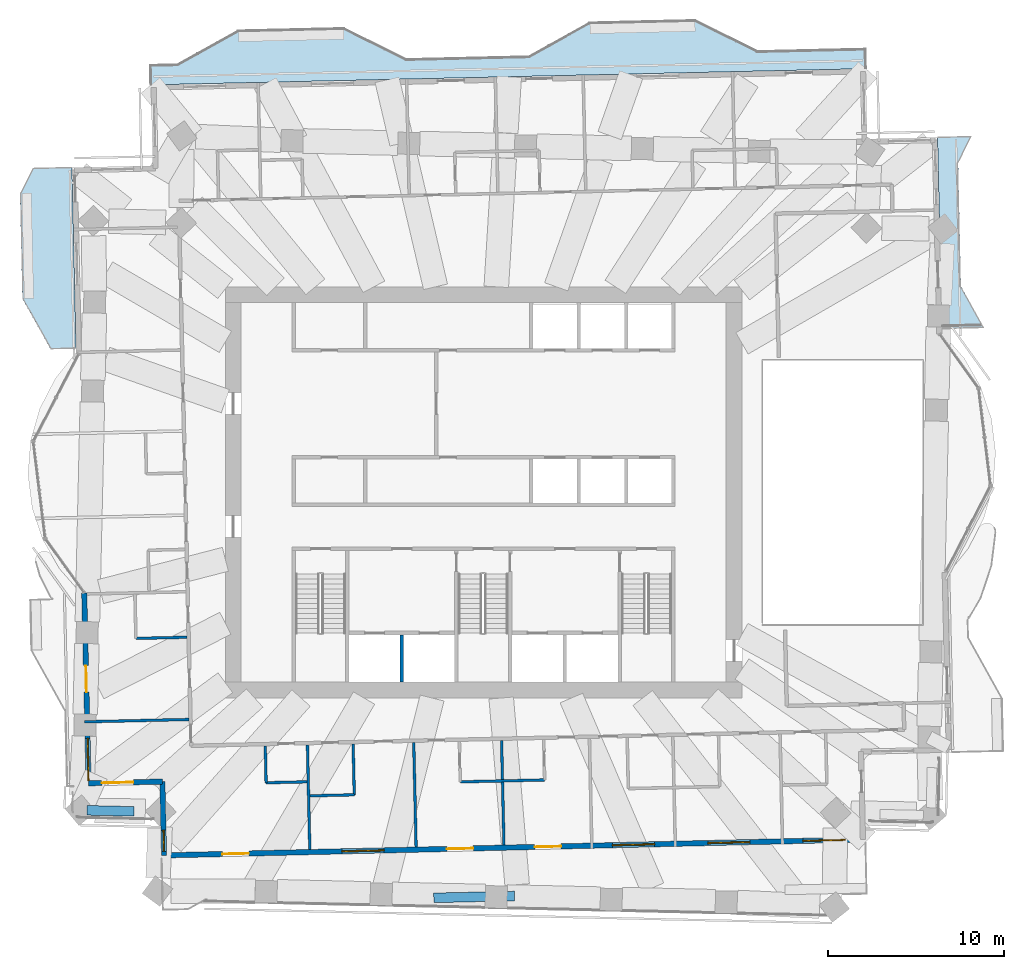
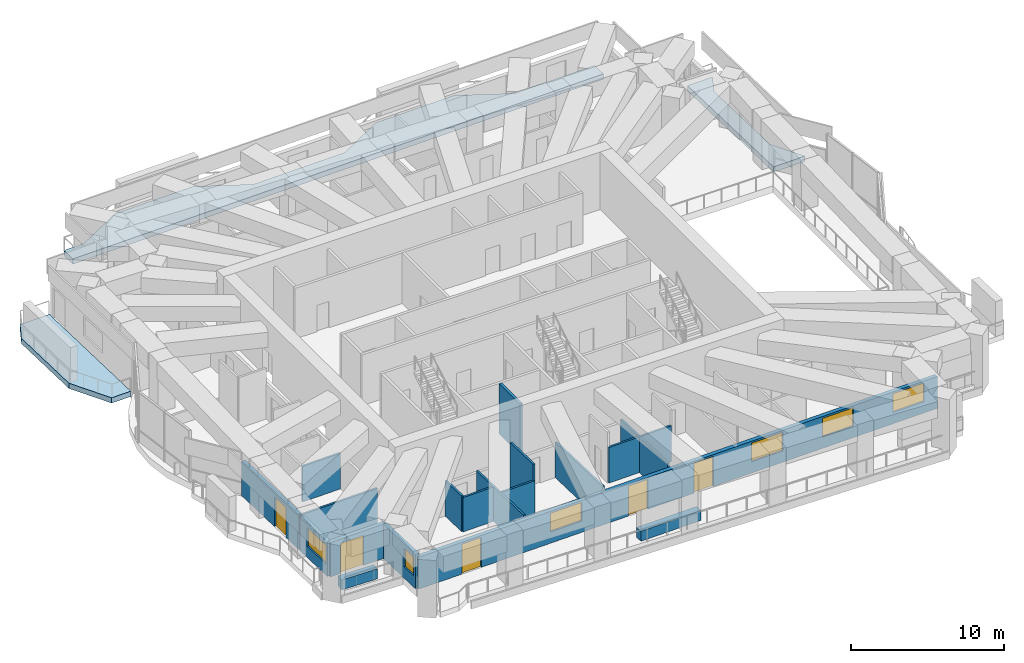
# One storey, part 8 of 17: 17 walls, 6 windows, 5 doors, 3 slabs, 11 openings.
"""IFC4 building model written with IfcOpenShell, lengths in metres."""

import ifcopenshell
import ifcopenshell.guid

model = None  # the IFC model being written
_history = None  # IfcOwnerHistory: only IFC2X3 demands one
_inside = {}  # id of a spatial element -> (the spatial element, [elements in it])
_under = {}  # id of a project, library or spatial element -> (it, [spatial elements below it])
_declared = {}  # id of a project -> (the project, [libraries it declares])
_typed = {}  # id of a type object -> (the type object, [elements of that type])
_made_of = {}  # id of a material, layer set ... -> (it, [elements and type objects made of it])


def new_model(schema):
    """Start an empty IFC model of exactly this schema.

    Asked for "IFC4X3", IfcOpenShell would pick the latest addendum, in which some entities
    have other attributes; the version numbers below select the first issue.
    IFC2X3 requires an IfcOwnerHistory on every rooted entity: one is made here for all.
    """
    global model, _history
    if schema == "IFC4X3":
        model = ifcopenshell.file(schema_version=(4, 3, 0, 0))
    else:
        model = ifcopenshell.file(schema=schema)
    _inside.clear()
    _under.clear()
    _declared.clear()
    _typed.clear()
    _made_of.clear()
    _history = None
    if model.schema == "IFC2X3":
        org = make("IfcOrganization", Name="unknown")
        user = make(
            "IfcPersonAndOrganization",
            ThePerson=make("IfcPerson", FamilyName="unknown"),
            TheOrganization=org,
        )
        app = make(
            "IfcApplication",
            ApplicationDeveloper=org,
            Version="unknown",
            ApplicationFullName="unknown",
            ApplicationIdentifier="unknown",
        )
        _history = make(
            "IfcOwnerHistory",
            OwningUser=user,
            OwningApplication=app,
            ChangeAction="ADDED",
            CreationDate=0,
        )
    return model


def make(cls, **values):
    """One entity of the class cls with the attributes given. An attribute that is None is left unset."""
    return model.create_entity(
        cls, **{name: value for name, value in values.items() if value is not None}
    )


def rooted(cls, **values):
    """An entity with a GlobalId (a new one), such as an element, a storey or a relation."""
    return make(cls, GlobalId=ifcopenshell.guid.new(), OwnerHistory=_history, **values)


def si_unit(unit_type, name, prefix=None):
    """IfcSIUnit, for example si_unit("LENGTHUNIT", "METRE", prefix="MILLI")."""
    return make("IfcSIUnit", UnitType=unit_type, Prefix=prefix, Name=name)


def assignment(units):
    """IfcUnitAssignment: the units of a project."""
    return None if units is None else make("IfcUnitAssignment", Units=units)


def point(xyz):
    """IfcCartesianPoint."""
    return None if xyz is None else make("IfcCartesianPoint", Coordinates=xyz)


def direction(xyz):
    """IfcDirection."""
    return None if xyz is None else make("IfcDirection", DirectionRatios=xyz)


def frame(location, z_axis=None, x_axis=None):
    """IfcAxis2Placement3D, a coordinate frame: its origin and axes. An axis left out is left unset."""
    return make(
        "IfcAxis2Placement3D",
        Location=point(location),
        Axis=direction(z_axis),
        RefDirection=direction(x_axis),
    )


def frame_2d(location, x_axis=None):
    """IfcAxis2Placement2D, a coordinate frame in the plane: its origin and x axis."""
    return make(
        "IfcAxis2Placement2D", Location=point(location), RefDirection=direction(x_axis)
    )


def origin():
    """The frame at (0, 0, 0) with its axes left unset."""
    return frame((0.0, 0.0, 0.0))


def place(relative_to, where):
    """IfcLocalPlacement: puts the frame where relative to a parent placement (None: the world)."""
    return make(
        "IfcLocalPlacement", PlacementRelTo=relative_to, RelativePlacement=where
    )


def context(
    kind, dimensions, precision=None, world=None, true_north=None, identifier=None
):
    """IfcGeometricRepresentationContext, for example the 3D "Model" context."""
    return make(
        "IfcGeometricRepresentationContext",
        ContextIdentifier=identifier,
        ContextType=kind,
        CoordinateSpaceDimension=dimensions,
        Precision=precision,
        WorldCoordinateSystem=world,
        TrueNorth=true_north,
    )


def subcontext(parent, identifier, kind, view, scale=None):
    """IfcGeometricRepresentationSubContext, for example "Body" below "Model"."""
    return make(
        "IfcGeometricRepresentationSubContext",
        ContextIdentifier=identifier,
        ContextType=kind,
        ParentContext=parent,
        TargetScale=scale,
        TargetView=view,
    )


def project(units=None, contexts=None):
    """IfcProject with its units and contexts."""
    return rooted(
        "IfcProject",
        Name="project",
        RepresentationContexts=contexts,
        UnitsInContext=assignment(units),
    )


def spatial(cls, under=None, at=None, **own):
    """A site, building, storey or space (cls), placed at a placement, below another one or the project."""
    s = rooted(cls, ObjectPlacement=at, **own)
    if under is not None:
        _under.setdefault(under.id(), (under, []))[1].append(s)
    return s


def polyline(points):
    """IfcPolyline through the points."""
    return make("IfcPolyline", Points=[point(p) for p in points])


def profile(cls, at=None, kind="AREA", **sizes):
    """A parametric profile (cls). Its sizes go by their IFC names, for example OverallWidth=200.0."""
    return make(cls, ProfileType=kind, Position=at, **sizes)


def rectangle(**sizes):
    """IfcRectangleProfileDef."""
    return profile("IfcRectangleProfileDef", **sizes)


def outline(outer, holes=None, kind="AREA"):
    """IfcArbitraryClosedProfileDef: a profile drawn as a closed curve; with holes, ...WithVoids."""
    if holes is None:
        return make("IfcArbitraryClosedProfileDef", ProfileType=kind, OuterCurve=outer)
    return make(
        "IfcArbitraryProfileDefWithVoids",
        ProfileType=kind,
        OuterCurve=outer,
        InnerCurves=holes,
    )


def extrude(swept, where, along, depth):
    """IfcExtrudedAreaSolid: the profile swept, set in the frame where, extruded along a direction by depth."""
    return make(
        "IfcExtrudedAreaSolid",
        SweptArea=swept,
        Position=where,
        ExtrudedDirection=direction(along),
        Depth=depth,
    )


def shape(context_of_items, identifier, shape_type, items):
    """IfcShapeRepresentation: the items that make up one representation, for example the "Body"."""
    return make(
        "IfcShapeRepresentation",
        ContextOfItems=context_of_items,
        RepresentationIdentifier=identifier,
        RepresentationType=shape_type,
        Items=items,
    )


def material(Name=None, Category=None):
    """IfcMaterial."""
    return make("IfcMaterial", Name=Name, Category=Category)


def layer(
    of_material, thickness, ventilated=None, Name=None, Category=None, Priority=None
):
    """IfcMaterialLayer: one layer of a wall or slab, of a material (None: an air gap)."""
    return make(
        "IfcMaterialLayer",
        Material=of_material,
        LayerThickness=thickness,
        IsVentilated=ventilated,
        Name=Name,
        Category=Category,
        Priority=Priority,
    )


def layer_set(layers, Name=None):
    """IfcMaterialLayerSet."""
    return make("IfcMaterialLayerSet", MaterialLayers=layers, LayerSetName=Name)


def made_of(thing, what):
    """Note that an element or type object is made of a material, layer set ...; save() writes the relation."""
    if what is not None:
        _made_of.setdefault(what.id(), (what, []))[1].append(thing)
    return thing


def type_object(cls, material=None, **own):
    """A type object (cls), such as IfcWallType, which elements share."""
    return made_of(rooted(cls, **own), material)


def element(
    cls,
    number,
    at=None,
    inside=None,
    cuts=None,
    type_object=None,
    material=None,
    context=None,
    identifier="Body",
    shape_type=None,
    held_by="IfcProductDefinitionShape",
    body=None,
    shapes=None,
    **own,
):
    """One element of the class cls, such as IfcWall. Its Tag is "e" and its number.

    at: its placement. inside: the storey or other place that contains it. cuts: it is an
    opening in that element (IfcRelVoidsElement). A single representation is given by context,
    identifier, shape_type and body (its items); several are given by shapes. held_by: the class
    of the entity that holds the representations. save() writes the other relations.
    """
    e = rooted(cls, Tag="e%d" % number, ObjectPlacement=at, **own)
    if body is not None:
        shapes = [shape(context, identifier, shape_type, body)]
    if shapes is not None:
        e.Representation = make(held_by, Representations=shapes)
    if inside is not None:
        _inside.setdefault(inside.id(), (inside, []))[1].append(e)
    if cuts is not None:
        rooted(
            "IfcRelVoidsElement", RelatingBuildingElement=cuts, RelatedOpeningElement=e
        )
    if type_object is not None:
        _typed.setdefault(type_object.id(), (type_object, []))[1].append(e)
    return made_of(e, material)


def fill(opening, filler):
    """IfcRelFillsElement: the door or window that sits in an opening."""
    return rooted(
        "IfcRelFillsElement",
        RelatingOpeningElement=opening,
        RelatedBuildingElement=filler,
    )


def aggregate(whole, parts):
    """IfcRelAggregates: a whole, such as a stair, and the parts it consists of."""
    return rooted("IfcRelAggregates", RelatingObject=whole, RelatedObjects=parts)


def save(model, path):
    """Write the relations noted so far, then the file.

    IfcRelAggregates (storeys below a building ...), IfcRelContainedInSpatialStructure (elements
    in a storey), IfcRelDefinesByType, IfcRelAssociatesMaterial and IfcRelDeclares: one each for
    every whole, place, type object, material and project.
    """
    for whole, parts in _under.values():
        aggregate(whole, parts)
    for where, things in _inside.values():
        rooted(
            "IfcRelContainedInSpatialStructure",
            RelatedElements=things,
            RelatingStructure=where,
        )
    for kind, things in _typed.values():
        rooted("IfcRelDefinesByType", RelatedObjects=things, RelatingType=kind)
    for what, things in _made_of.values():
        rooted("IfcRelAssociatesMaterial", RelatedObjects=things, RelatingMaterial=what)
    for by, libraries in _declared.values():
        rooted("IfcRelDeclares", RelatingContext=by, RelatedDefinitions=libraries)
    model.write(path)


model = new_model("IFC4")

# Units and contexts
model_context = context("Model", 3, precision=1e-05, world=origin(), true_north=direction((0.0, 1.0)))
body_context = subcontext(model_context, "Body", "Model", "MODEL_VIEW")
ifc_project = project(units=[si_unit("LENGTHUNIT", "METRE"), si_unit("AREAUNIT", "SQUARE_METRE"), si_unit("VOLUMEUNIT", "CUBIC_METRE"), si_unit("PLANEANGLEUNIT", "RADIAN"), si_unit("MASSUNIT", "GRAM", prefix="KILO")], contexts=[model_context])

# Site, building, storey
site_placement = place(None, origin())
site = spatial("IfcSite", under=ifc_project, at=site_placement, CompositionType="ELEMENT")
building_placement = place(site_placement, origin())
building = spatial("IfcBuilding", under=site, at=building_placement, Name="Mangrove Gate Tower", CompositionType="ELEMENT")
storey_placement = place(building_placement, frame((0.0, 0.0, 170.699951171875)))
storey = spatial("IfcBuildingStorey", under=building, at=storey_placement, Name="L43", CompositionType="ELEMENT", Elevation=170.699951171875)

# Slabs
ifc_material_1 = material(Name="Porcelain tile")
ifc_layer_1 = layer(ifc_material_1, 0.02001953125, Name="Tile finish")
ifc_material_2 = material(Name="Cement sand screed")
ifc_layer_2 = layer(ifc_material_2, 0.0400390625, Name="Screed laid to falls")
ifc_material_3 = material(Name="Bituminous waterproofing membrane")
ifc_layer_3 = layer(ifc_material_3, 0.00390625, Name="Waterproofing")
ifc_material_4 = material(Name="Concrete C40/50", Category="concrete")
ifc_layer_4 = layer(ifc_material_4, 0.340087890625, Name="Balcony structural slab")
ifc_material_5 = material(Name="Limestone", Category="masonry")
ifc_layer_5 = layer(ifc_material_5, 0.01611328125, Name="Soffit lining")
ifc_layer_set_1 = layer_set([ifc_layer_1, ifc_layer_2, ifc_layer_3, ifc_layer_4, ifc_layer_5], Name="Balcony slab 420 C40/50")
slab_type = type_object("IfcSlabType", Name="Balcony slab 420 C40/50", PredefinedType="FLOOR", material=ifc_layer_set_1)
slab_1_placement = place(storey_placement, frame((0.0, 0.0, -0.419921875)))
element("IfcSlab", 1, at=slab_1_placement, inside=storey, type_object=slab_type, Name="BALCONY L43 E1", PredefinedType="FLOOR", context=body_context, shape_type="SweptSolid", body=[
    extrude(outline(polyline([(28.467041015625, 9.386962890625), (27.157958984375, 11.73193359375), (26.9990234375, 18.73095703125), (27.758056640625, 20.248046875), (25.824951171875, 20.2041015625), (25.85888671875, 18.705078125), (26.01806640625, 11.70703125), (26.072021484375, 9.3330078125), (28.467041015625, 9.386962890625)])), origin(), (0.0, 0.0, 1.0), 0.419921875),
])
slab_2_placement = place(storey_placement, frame((0.0, 0.0, -0.419921875)))
element("IfcSlab", 2, at=slab_2_placement, inside=storey, type_object=slab_type, Name="BALCONY L43 N0", PredefinedType="FLOOR", context=body_context, shape_type="SweptSolid", body=[
    extrude(outline(polyline([(21.7099609375, 25.251953125), (15.571044921875, 25.113037109375), (12.030029296875, 26.883056640625), (6.031982421875, 26.7470703125), (2.574951171875, 24.818115234375), (-4.424072265625, 24.659912109375), (-7.965087890625, 26.428955078125), (-13.962890625, 26.29296875), (-17.419921875, 24.364013671875), (-18.9599609375, 24.3291015625), (-18.93408203125, 23.18994140625), (21.736083984375, 24.113037109375), (21.7099609375, 25.251953125)])), origin(), (0.0, 0.0, 1.0), 0.419921875),
])
slab_3_placement = place(storey_placement, frame((0.0, 0.0, -0.419921875)))
element("IfcSlab", 3, at=slab_3_placement, inside=storey, type_object=slab_type, Name="BALCONY L43 W0", PredefinedType="FLOOR", context=body_context, shape_type="SweptSolid", body=[
    extrude(outline(polyline([(-25.677978515625, 18.43505859375), (-26.385986328125, 17.01904296875), (-26.25, 11.02099609375), (-24.6650390625, 8.180908203125), (-23.195068359375, 8.214111328125), (-23.260986328125, 11.087890625), (-23.39697265625, 17.0869140625), (-23.427978515625, 18.487060546875), (-25.677978515625, 18.43505859375)])), origin(), (0.0, 0.0, 1.0), 0.419921875),
])

# Wall
ifc_material_6 = material(Name="Concrete C60/75", Category="concrete")
ifc_layer_6 = layer(ifc_material_6, 0.199951171875)
ifc_layer_set_2 = layer_set([ifc_layer_6], Name="Core shaft wall 200 C60/75")
wall_type_1 = type_object("IfcWallType", Name="Core shaft wall 200 C60/75", PredefinedType="SHEAR", material=ifc_layer_set_2)
wall_1_placement = place(storey_placement, frame((-4.64990234375, -10.800048828125, 0.0), z_axis=(0.0, 0.0, 1.0), x_axis=(0.0, 1.0, 0.0)))
element("IfcWall", 4, at=wall_1_placement, inside=storey, type_object=wall_type_1, Name="WALL-L43-CORE-16", PredefinedType="SHEAR", context=body_context, shape_type="SweptSolid", body=[
    extrude(rectangle(XDim=2.699951171875, YDim=0.199951171875, at=frame_2d((1.35009765625, 0.0))), origin(), (0.0, 0.0, 1.0), 4.050048828125),
])

# Wall, openings, door, window
ifc_layer_7 = layer(ifc_material_5, 0.0400390625, Name="Limestone cladding")
ifc_material_7 = material(Name="Ventilated air gap")
ifc_layer_8 = layer(ifc_material_7, 0.0400390625, Name="Ventilated cavity")
ifc_material_8 = material(Name="Mineral wool insulation")
ifc_layer_9 = layer(ifc_material_8, 0.06005859375, Name="Insulation")
ifc_material_9 = material(Name="Breather membrane")
ifc_layer_10 = layer(ifc_material_9, 0.001953125, Name="Breather membrane")
ifc_material_10 = material(Name="Concrete C20/25 blockwork", Category="masonry")
ifc_layer_11 = layer(ifc_material_10, 0.14990234375, Name="Blockwork backing wall")
ifc_material_11 = material(Name="Gypsum plaster")
ifc_layer_12 = layer(ifc_material_11, 0.008056640625, Name="Internal plaster")
ifc_layer_set_3 = layer_set([ifc_layer_7, ifc_layer_8, ifc_layer_9, ifc_layer_10, ifc_layer_11, ifc_layer_12], Name="External wall 300 limestone cladding")
wall_type_2 = type_object("IfcWallType", Name="External wall 300 limestone cladding", PredefinedType="SOLIDWALL", material=ifc_layer_set_3)
wall_2_placement = place(storey_placement, frame((-22.72900390625, -5.72509765625, 0.0), z_axis=(0.0, 0.0, 1.0), x_axis=(0.022726014582, -0.999741730779, 0.0)))
wall_2 = element("IfcWall", 5, at=wall_2_placement, inside=storey, type_object=wall_type_2, Name="WALL-L43-W10", PredefinedType="SOLIDWALL", context=body_context, shape_type="SweptSolid", body=[
    extrude(rectangle(XDim=10.82861328125, YDim=0.300048828125, at=frame_2d((5.414306640625, 0.0))), origin(), (0.0, 0.0, 1.0), 2.75),
])
opening_1_placement = place(wall_2_placement, frame((4.135986328125, 0.0, 0.0)))
opening_1 = element("IfcOpeningElement", 6, at=opening_1_placement, cuts=wall_2, Name="Opening BD1", PredefinedType="OPENING", context=body_context, shape_type="SweptSolid", body=[
    extrude(rectangle(XDim=1.5, YDim=2.39990234375, at=frame_2d((0.75, 1.199951171875))), frame((0.0, 0.159912109375, 0.0), z_axis=(0.0, -1.0, 0.0), x_axis=(1.0, 0.0, 0.0)), (0.0, 0.0, 1.0), 0.320068359375),
])
opening_2_placement = place(wall_2_placement, frame((8.27294921875, 0.0, 0.89990234375)))
opening_2 = element("IfcOpeningElement", 7, at=opening_2_placement, cuts=wall_2, Name="Opening W2", PredefinedType="OPENING", context=body_context, shape_type="SweptSolid", body=[
    extrude(rectangle(XDim=2.39990234375, YDim=1.5, at=frame_2d((1.199951171875, 0.75))), frame((0.0, 0.159912109375, 0.0), z_axis=(0.0, -1.0, 0.0), x_axis=(1.0, 0.0, 0.0)), (0.0, 0.0, 1.0), 0.320068359375),
])
ifc_material_12 = material(Name="Aluminium frame with laminated clear glass", Category="aluminium")
door_type_1 = type_object("IfcDoorType", Name="Balcony sliding door 1500x2400", OperationType="SLIDING_TO_LEFT", PredefinedType="DOOR", material=ifc_material_12)
door_1_placement = place(opening_1_placement, origin())
door_1 = element("IfcDoor", 8, at=door_1_placement, inside=storey, type_object=door_type_1, Name="DOOR-L43-W10-1", OperationType="SLIDING_TO_LEFT", OverallHeight=2.39990234375, OverallWidth=1.5, PredefinedType="DOOR", context=body_context, shape_type="SweptSolid", body=[
    extrude(rectangle(XDim=1.5, YDim=2.39990234375, at=frame_2d((0.75, 1.199951171875))), frame((0.0, 0.02490234375, 0.0), z_axis=(0.0, -1.0, 0.0), x_axis=(1.0, 0.0, 0.0)), (0.0, 0.0, 1.0), 0.050048828125),
])
fill(opening_1, door_1)
ifc_material_13 = material(Name="Aluminium frame with double-glazed low-e glass", Category="aluminium")
window_type_1 = type_object("IfcWindowType", Name="Corner room window 2400x1500", PartitioningType="DOUBLE_PANEL_VERTICAL", PredefinedType="WINDOW", material=ifc_material_13)
window_1_placement = place(opening_2_placement, origin())
window_1 = element("IfcWindow", 9, at=window_1_placement, inside=storey, type_object=window_type_1, Name="WIN-L43-W10-2", OverallHeight=1.5, OverallWidth=2.39990234375, PartitioningType="DOUBLE_PANEL_VERTICAL", PredefinedType="WINDOW", context=body_context, shape_type="SweptSolid", body=[
    extrude(rectangle(XDim=2.39990234375, YDim=1.5, at=frame_2d((1.199951171875, 0.75))), frame((0.0, 0.030029296875, 0.0), z_axis=(0.0, -1.0, 0.0), x_axis=(1.0, 0.0, 0.0)), (0.0, 0.0, 1.0), 0.06005859375),
])
fill(opening_2, window_1)

# Wall, opening, door
wall_3_placement = place(storey_placement, frame((-22.48291015625, -16.551025390625, 0.0), z_axis=(0.0, 0.0, 1.0), x_axis=(0.999744320311, 0.022611811187, 0.0)))
wall_3 = element("IfcWall", 10, at=wall_3_placement, inside=storey, type_object=wall_type_2, Name="WALL-L43-S11", PredefinedType="SOLIDWALL", context=body_context, shape_type="SweptSolid", body=[
    extrude(rectangle(XDim=4.199951171875, YDim=0.300048828125, at=frame_2d((2.10009765625, 0.0))), origin(), (0.0, 0.0, 1.0), 2.75),
])
opening_3_placement = place(wall_3_placement, frame((0.75, 0.0, 0.0)))
opening_3 = element("IfcOpeningElement", 11, at=opening_3_placement, cuts=wall_3, Name="Opening TD1", PredefinedType="OPENING", context=body_context, shape_type="SweptSolid", body=[
    extrude(rectangle(XDim=1.800048828125, YDim=2.39990234375, at=frame_2d((0.89990234375, 1.199951171875))), frame((0.0, 0.159912109375, 0.0), z_axis=(0.0, -1.0, 0.0), x_axis=(1.0, 0.0, 0.0)), (0.0, 0.0, 1.0), 0.320068359375),
])
ifc_material_14 = material(Name="Aluminium frame with laminated clear glass", Category="aluminium")
door_type_2 = type_object("IfcDoorType", Name="Terrace door 1800x2400", OperationType="DOUBLE_DOOR_SINGLE_SWING", PredefinedType="DOOR", material=ifc_material_14)
door_2_placement = place(opening_3_placement, origin())
door_2 = element("IfcDoor", 12, at=door_2_placement, inside=storey, type_object=door_type_2, Name="DOOR-L43-S11-1", OperationType="DOUBLE_DOOR_SINGLE_SWING", OverallHeight=2.39990234375, OverallWidth=1.800048828125, PredefinedType="DOOR", context=body_context, shape_type="SweptSolid", body=[
    extrude(rectangle(XDim=1.800048828125, YDim=2.39990234375, at=frame_2d((0.89990234375, 1.199951171875))), frame((0.0, 0.02490234375, 0.0), z_axis=(0.0, -1.0, 0.0), x_axis=(1.0, 0.0, 0.0)), (0.0, 0.0, 1.0), 0.050048828125),
])
fill(opening_3, door_2)

# Wall, opening, window
wall_4_placement = place(storey_placement, frame((-18.283935546875, -16.4560546875, 0.0), z_axis=(0.0, 0.0, 1.0), x_axis=(0.022611811187, -0.999744320311, 0.0)))
wall_4 = element("IfcWall", 13, at=wall_4_placement, inside=storey, type_object=wall_type_2, Name="WALL-L43-W12", PredefinedType="SOLIDWALL", context=body_context, shape_type="SweptSolid", body=[
    extrude(rectangle(XDim=4.199951171875, YDim=0.300048828125, at=frame_2d((2.10009765625, 0.0))), origin(), (0.0, 0.0, 1.0), 2.75),
])
opening_4_placement = place(wall_4_placement, frame((2.76708984375, 0.0, 0.89990234375)))
opening_4 = element("IfcOpeningElement", 14, at=opening_4_placement, cuts=wall_4, Name="Opening W1", PredefinedType="OPENING", context=body_context, shape_type="SweptSolid", body=[
    extrude(rectangle(XDim=1.199951171875, YDim=1.5, at=frame_2d((0.60009765625, 0.75))), frame((0.0, 0.159912109375, 0.0), z_axis=(0.0, -1.0, 0.0), x_axis=(1.0, 0.0, 0.0)), (0.0, 0.0, 1.0), 0.320068359375),
])
ifc_material_15 = material(Name="Aluminium frame with double-glazed low-e glass", Category="aluminium")
window_type_2 = type_object("IfcWindowType", Name="Side lite 1200x1500", PartitioningType="SINGLE_PANEL", PredefinedType="WINDOW", material=ifc_material_15)
window_2_placement = place(opening_4_placement, origin())
window_2 = element("IfcWindow", 15, at=window_2_placement, inside=storey, type_object=window_type_2, Name="WIN-L43-W12-1", OverallHeight=1.5, OverallWidth=1.199951171875, PartitioningType="SINGLE_PANEL", PredefinedType="WINDOW", context=body_context, shape_type="SweptSolid", body=[
    extrude(rectangle(XDim=1.199951171875, YDim=1.5, at=frame_2d((0.60009765625, 0.75))), frame((0.0, 0.030029296875, 0.0), z_axis=(0.0, -1.0, 0.0), x_axis=(1.0, 0.0, 0.0)), (0.0, 0.0, 1.0), 0.06005859375),
])
fill(opening_4, window_2)

# Wall, openings, doors, windows
wall_5_placement = place(storey_placement, frame((-18.18896484375, -20.655029296875, 0.0), z_axis=(0.0, 0.0, 1.0), x_axis=(0.999742285265, 0.022701609063, 0.0)))
wall_5 = element("IfcWall", 16, at=wall_5_placement, inside=storey, type_object=wall_type_2, Name="WALL-L43-S13", PredefinedType="SOLIDWALL", context=body_context, shape_type="SweptSolid", body=[
    extrude(rectangle(XDim=39.7802734375, YDim=0.300048828125, at=frame_2d((19.89013671875, 0.0))), origin(), (0.0, 0.0, 1.0), 2.550048828125),
])
opening_5_placement = place(wall_5_placement, frame((3.324951171875, 0.0, 0.0)))
opening_5 = element("IfcOpeningElement", 17, at=opening_5_placement, cuts=wall_5, Name="Opening BD1", PredefinedType="OPENING", context=body_context, shape_type="SweptSolid", body=[
    extrude(rectangle(XDim=1.5, YDim=2.39990234375, at=frame_2d((0.75, 1.199951171875))), frame((0.0, 0.159912109375, 0.0), z_axis=(0.0, -1.0, 0.0), x_axis=(1.0, 0.0, 0.0)), (0.0, 0.0, 1.0), 0.320068359375),
])
opening_6_placement = place(wall_5_placement, frame((10.125, 0.0, 0.89990234375)))
opening_6 = element("IfcOpeningElement", 18, at=opening_6_placement, cuts=wall_5, Name="Opening W2", PredefinedType="OPENING", context=body_context, shape_type="SweptSolid", body=[
    extrude(rectangle(XDim=2.39990234375, YDim=1.5, at=frame_2d((1.199951171875, 0.75))), frame((0.0, 0.159912109375, 0.0), z_axis=(0.0, -1.0, 0.0), x_axis=(1.0, 0.0, 0.0)), (0.0, 0.0, 1.0), 0.320068359375),
])
opening_7_placement = place(wall_5_placement, frame((16.10009765625, 0.0, 0.0)))
opening_7 = element("IfcOpeningElement", 19, at=opening_7_placement, cuts=wall_5, Name="Opening BD1", PredefinedType="OPENING", context=body_context, shape_type="SweptSolid", body=[
    extrude(rectangle(XDim=1.5, YDim=2.39990234375, at=frame_2d((0.75, 1.199951171875))), frame((0.0, 0.159912109375, 0.0), z_axis=(0.0, -1.0, 0.0), x_axis=(1.0, 0.0, 0.0)), (0.0, 0.0, 1.0), 0.320068359375),
])
opening_8_placement = place(wall_5_placement, frame((21.10009765625, 0.0, 0.0)))
opening_8 = element("IfcOpeningElement", 20, at=opening_8_placement, cuts=wall_5, Name="Opening BD1", PredefinedType="OPENING", context=body_context, shape_type="SweptSolid", body=[
    extrude(rectangle(XDim=1.5, YDim=2.39990234375, at=frame_2d((0.75, 1.199951171875))), frame((0.0, 0.159912109375, 0.0), z_axis=(0.0, -1.0, 0.0), x_axis=(1.0, 0.0, 0.0)), (0.0, 0.0, 1.0), 0.320068359375),
])
opening_9_placement = place(wall_5_placement, frame((25.52490234375, 0.0, 0.89990234375)))
opening_9 = element("IfcOpeningElement", 21, at=opening_9_placement, cuts=wall_5, Name="Opening W2", PredefinedType="OPENING", context=body_context, shape_type="SweptSolid", body=[
    extrude(rectangle(XDim=2.39990234375, YDim=1.5, at=frame_2d((1.199951171875, 0.75))), frame((0.0, 0.159912109375, 0.0), z_axis=(0.0, -1.0, 0.0), x_axis=(1.0, 0.0, 0.0)), (0.0, 0.0, 1.0), 0.320068359375),
])
opening_10_placement = place(wall_5_placement, frame((30.949951171875, 0.0, 0.89990234375)))
opening_10 = element("IfcOpeningElement", 22, at=opening_10_placement, cuts=wall_5, Name="Opening W2", PredefinedType="OPENING", context=body_context, shape_type="SweptSolid", body=[
    extrude(rectangle(XDim=2.39990234375, YDim=1.5, at=frame_2d((1.199951171875, 0.75))), frame((0.0, 0.159912109375, 0.0), z_axis=(0.0, -1.0, 0.0), x_axis=(1.0, 0.0, 0.0)), (0.0, 0.0, 1.0), 0.320068359375),
])
opening_11_placement = place(wall_5_placement, frame((36.364990234375, 0.0, 0.89990234375)))
opening_11 = element("IfcOpeningElement", 23, at=opening_11_placement, cuts=wall_5, Name="Opening W2", PredefinedType="OPENING", context=body_context, shape_type="SweptSolid", body=[
    extrude(rectangle(XDim=2.39990234375, YDim=1.5, at=frame_2d((1.199951171875, 0.75))), frame((0.0, 0.159912109375, 0.0), z_axis=(0.0, -1.0, 0.0), x_axis=(1.0, 0.0, 0.0)), (0.0, 0.0, 1.0), 0.320068359375),
])
door_3_placement = place(opening_5_placement, origin())
door_3 = element("IfcDoor", 24, at=door_3_placement, inside=storey, type_object=door_type_1, Name="DOOR-L43-S13-1", OperationType="SLIDING_TO_LEFT", OverallHeight=2.39990234375, OverallWidth=1.5, PredefinedType="DOOR", context=body_context, shape_type="SweptSolid", body=[
    extrude(rectangle(XDim=1.5, YDim=2.39990234375, at=frame_2d((0.75, 1.199951171875))), frame((0.0, 0.02490234375, 0.0), z_axis=(0.0, -1.0, 0.0), x_axis=(1.0, 0.0, 0.0)), (0.0, 0.0, 1.0), 0.050048828125),
])
fill(opening_5, door_3)
door_4_placement = place(opening_7_placement, origin())
door_4 = element("IfcDoor", 25, at=door_4_placement, inside=storey, type_object=door_type_1, Name="DOOR-L43-S13-3", OperationType="SLIDING_TO_LEFT", OverallHeight=2.39990234375, OverallWidth=1.5, PredefinedType="DOOR", context=body_context, shape_type="SweptSolid", body=[
    extrude(rectangle(XDim=1.5, YDim=2.39990234375, at=frame_2d((0.75, 1.199951171875))), frame((0.0, 0.02490234375, 0.0), z_axis=(0.0, -1.0, 0.0), x_axis=(1.0, 0.0, 0.0)), (0.0, 0.0, 1.0), 0.050048828125),
])
fill(opening_7, door_4)
door_5_placement = place(opening_8_placement, origin())
door_5 = element("IfcDoor", 26, at=door_5_placement, inside=storey, type_object=door_type_1, Name="DOOR-L43-S13-4", OperationType="SLIDING_TO_LEFT", OverallHeight=2.39990234375, OverallWidth=1.5, PredefinedType="DOOR", context=body_context, shape_type="SweptSolid", body=[
    extrude(rectangle(XDim=1.5, YDim=2.39990234375, at=frame_2d((0.75, 1.199951171875))), frame((0.0, 0.02490234375, 0.0), z_axis=(0.0, -1.0, 0.0), x_axis=(1.0, 0.0, 0.0)), (0.0, 0.0, 1.0), 0.050048828125),
])
fill(opening_8, door_5)
window_3_placement = place(opening_6_placement, origin())
window_3 = element("IfcWindow", 27, at=window_3_placement, inside=storey, type_object=window_type_1, Name="WIN-L43-S13-2", OverallHeight=1.5, OverallWidth=2.39990234375, PartitioningType="DOUBLE_PANEL_VERTICAL", PredefinedType="WINDOW", context=body_context, shape_type="SweptSolid", body=[
    extrude(rectangle(XDim=2.39990234375, YDim=1.5, at=frame_2d((1.199951171875, 0.75))), frame((0.0, 0.030029296875, 0.0), z_axis=(0.0, -1.0, 0.0), x_axis=(1.0, 0.0, 0.0)), (0.0, 0.0, 1.0), 0.06005859375),
])
fill(opening_6, window_3)
window_4_placement = place(opening_9_placement, origin())
window_4 = element("IfcWindow", 28, at=window_4_placement, inside=storey, type_object=window_type_1, Name="WIN-L43-S13-5", OverallHeight=1.5, OverallWidth=2.39990234375, PartitioningType="DOUBLE_PANEL_VERTICAL", PredefinedType="WINDOW", context=body_context, shape_type="SweptSolid", body=[
    extrude(rectangle(XDim=2.39990234375, YDim=1.5, at=frame_2d((1.199951171875, 0.75))), frame((0.0, 0.030029296875, 0.0), z_axis=(0.0, -1.0, 0.0), x_axis=(1.0, 0.0, 0.0)), (0.0, 0.0, 1.0), 0.06005859375),
])
fill(opening_9, window_4)
window_5_placement = place(opening_10_placement, origin())
window_5 = element("IfcWindow", 29, at=window_5_placement, inside=storey, type_object=window_type_1, Name="WIN-L43-S13-6", OverallHeight=1.5, OverallWidth=2.39990234375, PartitioningType="DOUBLE_PANEL_VERTICAL", PredefinedType="WINDOW", context=body_context, shape_type="SweptSolid", body=[
    extrude(rectangle(XDim=2.39990234375, YDim=1.5, at=frame_2d((1.199951171875, 0.75))), frame((0.0, 0.030029296875, 0.0), z_axis=(0.0, -1.0, 0.0), x_axis=(1.0, 0.0, 0.0)), (0.0, 0.0, 1.0), 0.06005859375),
])
fill(opening_10, window_5)
window_6_placement = place(opening_11_placement, origin())
window_6 = element("IfcWindow", 30, at=window_6_placement, inside=storey, type_object=window_type_1, Name="WIN-L43-S13-7", OverallHeight=1.5, OverallWidth=2.39990234375, PartitioningType="DOUBLE_PANEL_VERTICAL", PredefinedType="WINDOW", context=body_context, shape_type="SweptSolid", body=[
    extrude(rectangle(XDim=2.39990234375, YDim=1.5, at=frame_2d((1.199951171875, 0.75))), frame((0.0, 0.030029296875, 0.0), z_axis=(0.0, -1.0, 0.0), x_axis=(1.0, 0.0, 0.0)), (0.0, 0.0, 1.0), 0.06005859375),
])
fill(opening_11, window_6)

# Walls
ifc_material_16 = material(Name="Gypsum board on steel stud, EI 60", Category="steel")
ifc_layer_13 = layer(ifc_material_16, 0.14990234375)
ifc_layer_set_4 = layer_set([ifc_layer_13], Name="Party wall 150 EI 60")
wall_type_3 = type_object("IfcWallType", Name="Party wall 150 EI 60", PredefinedType="PARTITIONING", material=ifc_layer_set_4)
wall_6_placement = place(storey_placement, frame((-9.89501953125, -20.31689453125, 0.0), z_axis=(0.0, 0.0, 1.0), x_axis=(-0.022688785847, 0.999742576365, 0.0)))
element("IfcWall", 31, at=wall_6_placement, inside=storey, type_object=wall_type_3, Name="WALL-L43-001", PredefinedType="PARTITIONING", context=body_context, shape_type="SweptSolid", body=[
    extrude(rectangle(XDim=5.950439453125, YDim=0.14990234375, at=frame_2d((2.97509765625, 0.0))), origin(), (0.0, 0.0, 1.0), 2.75),
])
wall_7_placement = place(storey_placement, frame((-3.845947265625, -20.178955078125, 0.0), z_axis=(0.0, 0.0, 1.0), x_axis=(-0.022692509051, 0.999742491861, 0.0)))
element("IfcWall", 32, at=wall_7_placement, inside=storey, type_object=wall_type_3, Name="WALL-L43-002", PredefinedType="PARTITIONING", context=body_context, shape_type="SweptSolid", body=[
    extrude(rectangle(XDim=5.949462890625, YDim=0.14990234375, at=frame_2d((2.974609375, 0.0))), origin(), (0.0, 0.0, 1.0), 2.85009765625),
])
wall_8_placement = place(storey_placement, frame((1.153076171875, -20.06591796875, 0.0), z_axis=(0.0, 0.0, 1.0), x_axis=(-0.022688785847, 0.999742576365, 0.0)))
element("IfcWall", 33, at=wall_8_placement, inside=storey, type_object=wall_type_3, Name="WALL-L43-003", PredefinedType="PARTITIONING", context=body_context, shape_type="SweptSolid", body=[
    extrude(rectangle(XDim=5.950439453125, YDim=0.14990234375, at=frame_2d((2.97509765625, 0.0))), origin(), (0.0, 0.0, 1.0), 2.85009765625),
])
wall_9_placement = place(storey_placement, frame((-9.888916015625, -17.26611328125, 0.0), z_axis=(0.0, 0.0, 1.0), x_axis=(0.999735307039, 0.023006865507, 0.0)))
element("IfcWall", 34, at=wall_9_placement, inside=storey, type_object=wall_type_3, Name="WALL-L43-007", PredefinedType="PARTITIONING", context=body_context, shape_type="SweptSolid", body=[
    extrude(rectangle(XDim=2.525634765625, YDim=0.14990234375, at=frame_2d((1.2626953125, 0.0))), origin(), (0.0, 0.0, 1.0), 2.75),
])
wall_10_placement = place(storey_placement, frame((-7.364013671875, -17.2080078125, 0.0), z_axis=(0.0, 0.0, 1.0), x_axis=(-0.022732880677, 0.999741574676, 0.0)))
element("IfcWall", 35, at=wall_10_placement, inside=storey, type_object=wall_type_3, Name="WALL-L43-008", PredefinedType="PARTITIONING", context=body_context, shape_type="SweptSolid", body=[
    extrude(rectangle(XDim=2.899658203125, YDim=0.14990234375, at=frame_2d((1.44970703125, 0.0))), origin(), (0.0, 0.0, 1.0), 4.050048828125),
])
wall_11_placement = place(storey_placement, frame((-1.330078125, -16.470947265625, 0.0), z_axis=(0.0, 0.0, 1.0), x_axis=(0.999742701292, 0.022683280499, 0.0)))
element("IfcWall", 36, at=wall_11_placement, inside=storey, type_object=wall_type_3, Name="WALL-L43-014", PredefinedType="PARTITIONING", context=body_context, shape_type="SweptSolid", body=[
    extrude(rectangle(XDim=4.80029296875, YDim=0.14990234375, at=frame_2d((2.400146484375, 0.0))), origin(), (0.0, 0.0, 1.0), 2.85009765625),
])
wall_12_placement = place(storey_placement, frame((-12.381103515625, -16.52197265625, 0.0), z_axis=(0.0, 0.0, 1.0), x_axis=(0.99974031529, 0.022788198363, 0.0)))
element("IfcWall", 37, at=wall_12_placement, inside=storey, type_object=wall_type_3, Name="WALL-L43-017", PredefinedType="PARTITIONING", context=body_context, shape_type="SweptSolid", body=[
    extrude(rectangle(XDim=2.32470703125, YDim=0.14990234375, at=frame_2d((1.162353515625, 0.0))), origin(), (0.0, 0.0, 1.0), 2.75),
])
wall_13_placement = place(storey_placement, frame((-12.381103515625, -16.52197265625, 0.0), z_axis=(0.0, 0.0, 1.0), x_axis=(-0.022782133344, 0.999740453518, 0.0)))
element("IfcWall", 38, at=wall_13_placement, inside=storey, type_object=wall_type_3, Name="WALL-L43-018", PredefinedType="PARTITIONING", context=body_context, shape_type="SweptSolid", body=[
    extrude(rectangle(XDim=2.100341796875, YDim=0.14990234375, at=frame_2d((1.05029296875, 0.0))), origin(), (0.0, 0.0, 1.0), 2.85009765625),
])
wall_14_placement = place(storey_placement, frame((-22.712890625, -13.054931640625, 0.0), z_axis=(0.0, 0.0, 1.0), x_axis=(0.999744989952, 0.022582184714, 0.0)))
element("IfcWall", 39, at=wall_14_placement, inside=storey, type_object=wall_type_3, Name="WALL-L43-022", PredefinedType="PARTITIONING", context=body_context, shape_type="SweptSolid", body=[
    extrude(rectangle(XDim=5.935302734375, YDim=0.14990234375, at=frame_2d((2.9677734375, 0.0))), origin(), (0.0, 0.0, 1.0), 2.85009765625),
])
wall_15_placement = place(storey_placement, frame((-19.784912109375, -8.30810546875, 0.0), z_axis=(0.0, 0.0, 1.0), x_axis=(0.999739832865, 0.022809352981, 0.0)))
element("IfcWall", 40, at=wall_15_placement, inside=storey, type_object=wall_type_3, Name="WALL-L43-027", PredefinedType="PARTITIONING", context=body_context, shape_type="SweptSolid", body=[
    extrude(rectangle(XDim=2.900634765625, YDim=0.14990234375, at=frame_2d((1.4501953125, 0.0))), origin(), (0.0, 0.0, 1.0), 2.85009765625),
])
ifc_material_17 = material(Name="Concrete C32/40", Category="concrete")
ifc_layer_14 = layer(ifc_material_17, 0.199951171875, Name="Planter trough wall")
ifc_layer_15 = layer(ifc_material_3, 0.0048828125, Name="Waterproofing")
ifc_material_18 = material(Name="Drainage board and gravel")
ifc_layer_16 = layer(ifc_material_18, 0.044921875, Name="Drainage layer")
ifc_material_19 = material(Name="Planting soil")
ifc_layer_17 = layer(ifc_material_19, 0.300048828125, Name="Growing medium")
ifc_layer_set_5 = layer_set([ifc_layer_14, ifc_layer_15, ifc_layer_16, ifc_layer_17], Name="Planter wall 550 C32/40")
wall_type_4 = type_object("IfcWallType", Name="Planter wall 550 C32/40", PredefinedType="USERDEFINED", material=ifc_layer_set_5)
wall_16_placement = place(storey_placement, frame((-2.840087890625, -23.072021484375, 0.0), z_axis=(0.0, 0.0, 1.0), x_axis=(0.999744404568, 0.02260808559, 0.0)))
element("IfcWall", 41, at=wall_16_placement, inside=storey, type_object=wall_type_4, Name="PLANTER L43 S0.1", ObjectType="PLANTER", PredefinedType="USERDEFINED", context=body_context, shape_type="SweptSolid", body=[
    extrude(rectangle(XDim=4.600341796875, YDim=0.550048828125, at=frame_2d((2.30029296875, 0.0))), origin(), (0.0, 0.0, 1.0), 0.800048828125),
])
wall_17_placement = place(storey_placement, frame((-19.89892578125, -18.15087890625, 0.0), z_axis=(0.0, 0.0, 1.0), x_axis=(-0.99974919145, 0.022395405678, 0.0)))
element("IfcWall", 42, at=wall_17_placement, inside=storey, type_object=wall_type_4, Name="PLANTER L43 T4.1.4", ObjectType="PLANTER", PredefinedType="USERDEFINED", context=body_context, shape_type="SweptSolid", body=[
    extrude(rectangle(XDim=2.6708984375, YDim=0.550048828125, at=frame_2d((1.33544921875, 0.0))), origin(), (0.0, 0.0, 1.0), 0.800048828125),
])

save(model, "model.ifc")
